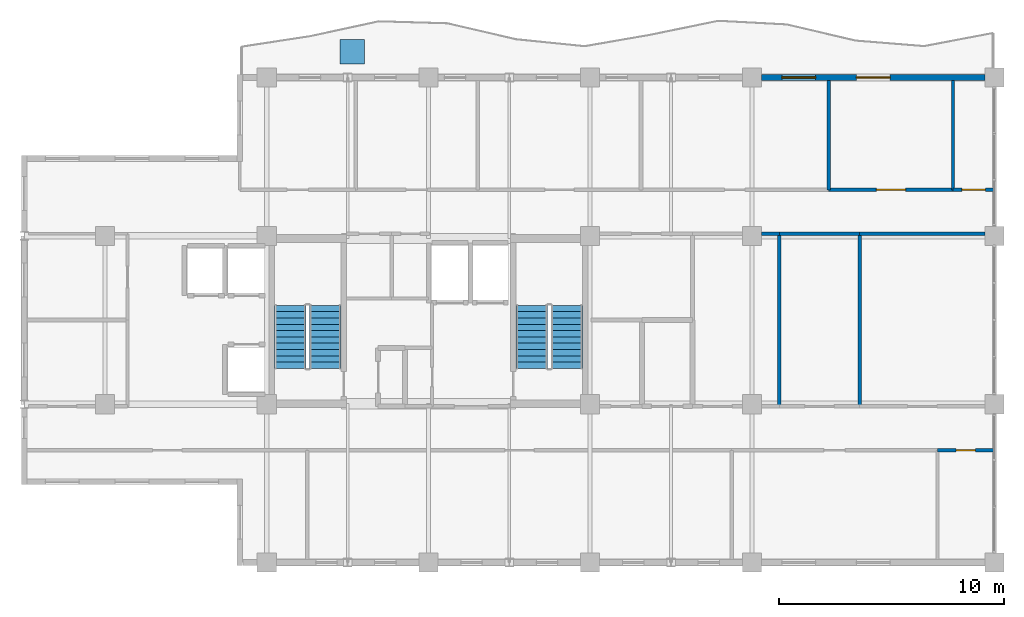
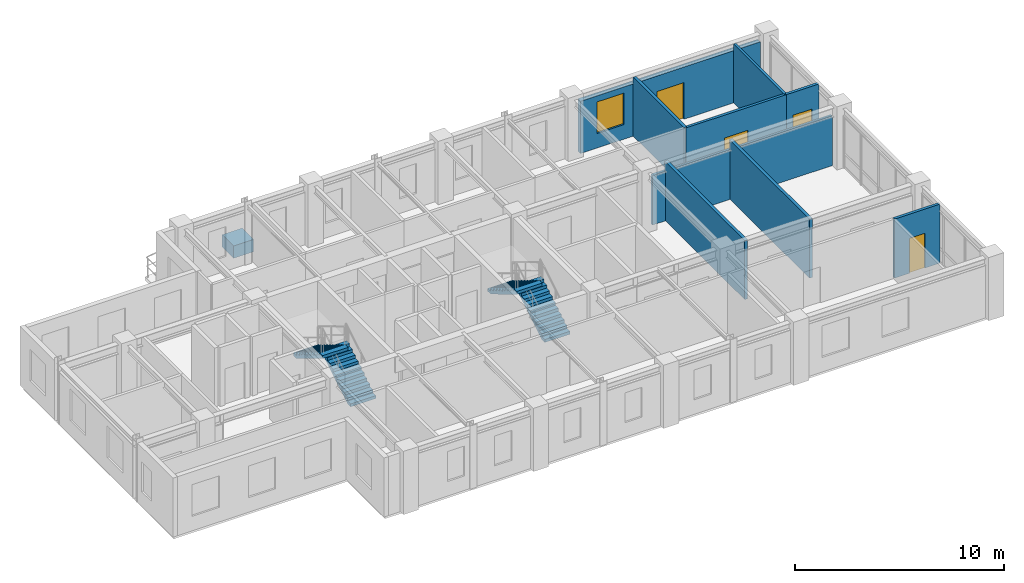
# One storey, part 9 of 10: 11 walls, 4 doors, 4 stair flights, 1 discrete accessory, 1 window, 5 openings, 2 elements without a shape of their own.
"""IFC4 building model written with IfcOpenShell, lengths in metres."""

from ifc_helpers import new_model, si_unit, direction, frame, frame_2d, origin, origin_2d, place, context, subcontext, project, spatial, polyline, rectangle, outline, extrude, source, transform, mapped, material, layer, layer_set, type_object, element, fill, aggregate, save


model = new_model("IFC4")

# Units and contexts
model_context = context("Model", 3, precision=1e-05, world=origin(), true_north=direction((0.0, 1.0)))
body_context = subcontext(model_context, "Body", "Model", "MODEL_VIEW")
ifc_project = project(units=[si_unit("LENGTHUNIT", "METRE"), si_unit("AREAUNIT", "SQUARE_METRE"), si_unit("VOLUMEUNIT", "CUBIC_METRE"), si_unit("PLANEANGLEUNIT", "RADIAN"), si_unit("MASSUNIT", "GRAM", prefix="KILO")], contexts=[model_context])

# Site, building, storey
site_placement = place(None, origin())
site = spatial("IfcSite", under=ifc_project, at=site_placement, CompositionType="ELEMENT")
building_placement = place(site_placement, origin())
building = spatial("IfcBuilding", under=site, at=building_placement, Name="Kaliganga Portal Commons", CompositionType="ELEMENT")
storey_placement = place(building_placement, frame((0.0, 0.0, 275.800048828125)))
storey = spatial("IfcBuildingStorey", under=building, at=storey_placement, Name="L71", CompositionType="ELEMENT", Elevation=275.800048828125)

# Wall, openings, door, window
ifc_material_1 = material(Name="Insulated Aluminium-Clad Spandrel Assembly", Category="aluminium")
ifc_layer_1 = layer(ifc_material_1, 0.260009765625)
ifc_layer_set_1 = layer_set([ifc_layer_1], Name="Insulated Aluminium-Clad Spandrel Assembly")
wall_type_1 = type_object("IfcWallType", Name="WL-EXT-SPAND-260", PredefinedType="STANDARD", material=ifc_layer_set_1)
wall_1_placement = place(storey_placement, frame((36.426025390625, 43.199951171875, 0.0), z_axis=(0.0, 0.0, 1.0), x_axis=(1.0, 0.0, 0.0)))
wall_1 = element("IfcWall", 1, at=wall_1_placement, inside=storey, type_object=wall_type_1, Name="Exterior Envelope Wall L71 P1-E02-S1", PredefinedType="STANDARD", context=body_context, shape_type="SweptSolid", body=[
    extrude(rectangle(XDim=9.947998046875, YDim=0.260009765625, at=frame_2d((4.97412109375, 0.0))), origin(), (0.0, 0.0, 1.0), 3.054931640625),
])
opening_1_placement = place(wall_1_placement, frame((4.22412109375, 0.0, 0.0)))
opening_1 = element("IfcOpeningElement", 2, at=opening_1_placement, cuts=wall_1, Name="Opening BD-01", PredefinedType="OPENING", context=body_context, shape_type="SweptSolid", body=[
    extrude(rectangle(XDim=1.5, YDim=2.14990234375, at=frame_2d((0.75, 1.074951171875))), frame((0.0, 0.14013671875, 0.0), z_axis=(0.0, -1.0, 0.0), x_axis=(1.0, 0.0, 0.0)), (0.0, 0.0, 1.0), 0.280029296875),
])
opening_2_placement = place(wall_1_placement, frame((0.907958984375, 0.0, 0.85009765625)))
opening_2 = element("IfcOpeningElement", 3, at=opening_2_placement, cuts=wall_1, Name="Opening W-02", PredefinedType="OPENING", context=body_context, shape_type="SweptSolid", body=[
    extrude(rectangle(XDim=1.5, YDim=1.85009765625, at=frame_2d((0.75, 0.925048828125))), frame((0.0, 0.14013671875, 0.0), z_axis=(0.0, -1.0, 0.0), x_axis=(1.0, 0.0, 0.0)), (0.0, 0.0, 1.0), 0.280029296875),
])
ifc_material_2 = material(Name="Anodized Aluminium and Laminated Safety Glass", Category="aluminium")
door_type_1 = type_object("IfcDoorType", Name="DR-BALC-1500", OperationType="SLIDING_TO_LEFT", PredefinedType="DOOR", material=ifc_material_2)
door_1_placement = place(opening_1_placement, origin())
door_1 = element("IfcDoor", 4, at=door_1_placement, inside=storey, type_object=door_type_1, Name="Balcony Sliding Door L71 balc_north", OperationType="SLIDING_TO_LEFT", OverallHeight=2.14990234375, OverallWidth=1.5, PredefinedType="DOOR", context=body_context, shape_type="SweptSolid", body=[
    extrude(rectangle(XDim=1.5, YDim=2.14990234375, at=frame_2d((0.75, 1.074951171875))), frame((0.0, 0.02490234375, 0.0), z_axis=(0.0, -1.0, 0.0), x_axis=(1.0, 0.0, 0.0)), (0.0, 0.0, 1.0), 0.050048828125),
])
fill(opening_1, door_1)
ifc_material_3 = material(Name="Thermally Broken Aluminium and Low-E Double Glazing", Category="aluminium")
window_type = type_object("IfcWindowType", Name="WIN-STD-1500", PartitioningType="DOUBLE_PANEL_VERTICAL", PredefinedType="WINDOW", material=ifc_material_3)
window_placement = place(opening_2_placement, origin())
window = element("IfcWindow", 5, at=window_placement, inside=storey, type_object=window_type, Name="Facade Window L71-P1E02S1-00", OverallHeight=1.85009765625, OverallWidth=1.5, PartitioningType="SINGLE_PANEL", PredefinedType="WINDOW", context=body_context, shape_type="SweptSolid", body=[
    extrude(rectangle(XDim=1.5, YDim=1.85009765625, at=frame_2d((0.75, 0.925048828125))), frame((0.0, 0.030029296875, 0.0), z_axis=(0.0, -1.0, 0.0), x_axis=(1.0, 0.0, 0.0)), (0.0, 0.0, 1.0), 0.06005859375),
])
fill(opening_2, window)

# Wall
ifc_material_4 = material(Name="Fire-Rated Gypsum Board on Steel Stud", Category="steel")
ifc_layer_2 = layer(ifc_material_4, 0.14990234375)
ifc_layer_set_2 = layer_set([ifc_layer_2], Name="Fire-Rated Gypsum Board on Steel Stud")
wall_type_2 = type_object("IfcWallType", Name="WL-PART-CORR-150", PredefinedType="PARTITIONING", material=ifc_layer_set_2)
wall_2_placement = place(storey_placement, frame((40.800048828125, 36.239990234375, 0.0), z_axis=(0.0, 0.0, 1.0), x_axis=(1.0, 0.0, 0.0)))
element("IfcWall", 6, at=wall_2_placement, inside=storey, type_object=wall_type_2, Name="Interior Partition L71-007", PredefinedType="PARTITIONING", context=body_context, shape_type="SweptSolid", body=[
    extrude(rectangle(XDim=5.574951171875, YDim=0.14990234375, at=frame_2d((2.78759765625, 0.0))), origin(), (0.0, 0.0, 1.0), 2.905029296875),
])

# Wall, opening, door
wall_3_placement = place(storey_placement, frame((39.419921875, 38.199951171875, 0.0), z_axis=(0.0, 0.0, 1.0), x_axis=(1.0, 0.0, 0.0)))
wall_3 = element("IfcWall", 7, at=wall_3_placement, inside=storey, type_object=wall_type_2, Name="Interior Partition L71-008", PredefinedType="PARTITIONING", context=body_context, shape_type="SweptSolid", body=[
    extrude(rectangle(XDim=5.5400390625, YDim=0.14990234375, at=frame_2d((2.77001953125, 0.0))), origin(), (0.0, 0.0, 1.0), 3.454833984375),
])
opening_3_placement = place(wall_3_placement, frame((2.1201171875, 0.0, 0.0)))
opening_3 = element("IfcOpeningElement", 8, at=opening_3_placement, cuts=wall_3, Name="Opening RD-03", PredefinedType="OPENING", context=body_context, shape_type="SweptSolid", body=[
    extrude(rectangle(XDim=1.300048828125, YDim=2.1201171875, at=frame_2d((0.64990234375, 1.06005859375))), frame((0.0, 0.0849609375, 0.0), z_axis=(0.0, -1.0, 0.0), x_axis=(1.0, 0.0, 0.0)), (0.0, 0.0, 1.0), 0.169921875),
])
ifc_material_5 = material(Name="Glazed Timber Seminar Vision Door", Category="wood")
door_type_2 = type_object("IfcDoorType", Name="DR-STUDY-1300", OperationType="DOUBLE_DOOR_SINGLE_SWING", PredefinedType="DOOR", material=ifc_material_5)
door_2_placement = place(opening_3_placement, origin())
door_2 = element("IfcDoor", 9, at=door_2_placement, inside=storey, type_object=door_type_2, Name="Interior Door L71-AN05", OperationType="DOUBLE_DOOR_SINGLE_SWING", OverallHeight=2.1201171875, OverallWidth=1.300048828125, PredefinedType="DOOR", context=body_context, shape_type="SweptSolid", body=[
    extrude(rectangle(XDim=1.300048828125, YDim=2.1201171875, at=frame_2d((0.64990234375, 1.06005859375))), frame((0.0, 0.02490234375, 0.0), z_axis=(0.0, -1.0, 0.0), x_axis=(1.0, 0.0, 0.0)), (0.0, 0.0, 1.0), 0.050048828125),
])
fill(opening_3, door_2)

# Walls
wall_4_placement = place(storey_placement, frame((36.425048828125, 36.239990234375, 0.0), z_axis=(0.0, 0.0, 1.0), x_axis=(1.0, 0.0, 0.0)))
element("IfcWall", 10, at=wall_4_placement, inside=storey, type_object=wall_type_2, Name="Interior Partition L71-017", PredefinedType="PARTITIONING", context=body_context, shape_type="SweptSolid", body=[
    extrude(rectangle(XDim=0.794921875, YDim=0.14990234375, at=frame_2d((0.3974609375, 0.0))), origin(), (0.0, 0.0, 1.0), 2.905029296875),
])
wall_5_placement = place(storey_placement, frame((37.219970703125, 36.239990234375, 0.0), z_axis=(0.0, 0.0, 1.0), x_axis=(1.0, 0.0, 0.0)))
element("IfcWall", 11, at=wall_5_placement, inside=storey, type_object=wall_type_2, Name="Interior Partition L71-021", PredefinedType="PARTITIONING", context=body_context, shape_type="SweptSolid", body=[
    extrude(rectangle(XDim=3.580078125, YDim=0.14990234375, at=frame_2d((1.7900390625, 0.0))), origin(), (0.0, 0.0, 1.0), 2.905029296875),
])

# Wall, opening, door
wall_6_placement = place(storey_placement, frame((44.260009765625, 26.60009765625, 0.0), z_axis=(0.0, 0.0, 1.0), x_axis=(1.0, 0.0, 0.0)))
wall_6 = element("IfcWall", 12, at=wall_6_placement, inside=storey, type_object=wall_type_2, Name="Interior Partition L71-024", PredefinedType="PARTITIONING", context=body_context, shape_type="SweptSolid", body=[
    extrude(rectangle(XDim=2.52001953125, YDim=0.14990234375, at=frame_2d((1.260009765625, 0.0))), origin(), (0.0, 0.0, 1.0), 3.454833984375),
])
opening_4_placement = place(wall_6_placement, frame((0.8349609375, 0.0, 0.0)))
opening_4 = element("IfcOpeningElement", 13, at=opening_4_placement, cuts=wall_6, Name="Opening WD-01", PredefinedType="OPENING", context=body_context, shape_type="SweptSolid", body=[
    extrude(rectangle(XDim=0.85009765625, YDim=2.0400390625, at=frame_2d((0.425048828125, 1.02001953125))), frame((0.0, 0.0849609375, 0.0), z_axis=(0.0, -1.0, 0.0), x_axis=(1.0, 0.0, 0.0)), (0.0, 0.0, 1.0), 0.169921875),
])
ifc_material_6 = material(Name="Moisture-Resistant Laminate Timber Door", Category="wood")
door_type_3 = type_object("IfcDoorType", Name="DR-WET-850", OperationType="NOTDEFINED", PredefinedType="DOOR", material=ifc_material_6)
door_3_placement = place(opening_4_placement, origin())
door_3 = element("IfcDoor", 14, at=door_3_placement, inside=storey, type_object=door_type_3, Name="Interior Door L71-AS04", OperationType="SINGLE_SWING_RIGHT", OverallHeight=2.0400390625, OverallWidth=0.85009765625, PredefinedType="DOOR", context=body_context, shape_type="SweptSolid", body=[
    extrude(rectangle(XDim=0.85009765625, YDim=2.0400390625, at=frame_2d((0.425048828125, 1.02001953125))), frame((0.0, 0.02490234375, 0.0), z_axis=(0.0, -1.0, 0.0), x_axis=(1.0, 0.0, 0.0)), (0.0, 0.0, 1.0), 0.050048828125),
])
fill(opening_4, door_3)

wall_7_placement = place(storey_placement, frame((44.9599609375, 38.199951171875, 0.0), z_axis=(0.0, 0.0, 1.0), x_axis=(1.0, 0.0, 0.0)))
wall_7 = element("IfcWall", 15, at=wall_7_placement, inside=storey, type_object=wall_type_2, Name="Interior Partition L71-029", PredefinedType="PARTITIONING", context=body_context, shape_type="SweptSolid", body=[
    extrude(rectangle(XDim=1.820068359375, YDim=0.14990234375, at=frame_2d((0.91015625, 0.0))), origin(), (0.0, 0.0, 1.0), 3.454833984375),
])
opening_5_placement = place(wall_7_placement, frame((0.385009765625, 0.0, 0.0)))
opening_5 = element("IfcOpeningElement", 16, at=opening_5_placement, cuts=wall_7, Name="Opening UD-02", PredefinedType="OPENING", context=body_context, shape_type="SweptSolid", body=[
    extrude(rectangle(XDim=1.050048828125, YDim=2.1201171875, at=frame_2d((0.52490234375, 1.06005859375))), frame((0.0, 0.0849609375, 0.0), z_axis=(0.0, -1.0, 0.0), x_axis=(1.0, 0.0, 0.0)), (0.0, 0.0, 1.0), 0.169921875),
])
ifc_material_7 = material(Name="Accessible Wide-Leaf Acoustic Fire Door", Category="wood")
door_type_4 = type_object("IfcDoorType", Name="DR-ACC-1050", OperationType="NOTDEFINED", PredefinedType="DOOR", material=ifc_material_7)
door_4_placement = place(opening_5_placement, origin())
door_4 = element("IfcDoor", 17, at=door_4_placement, inside=storey, type_object=door_type_4, Name="Interior Door L71-AN06", OperationType="SINGLE_SWING_RIGHT", OverallHeight=2.1201171875, OverallWidth=1.050048828125, PredefinedType="DOOR", context=body_context, shape_type="SweptSolid", body=[
    extrude(rectangle(XDim=1.050048828125, YDim=2.1201171875, at=frame_2d((0.52490234375, 1.06005859375))), frame((0.0, 0.02490234375, 0.0), z_axis=(0.0, -1.0, 0.0), x_axis=(1.0, 0.0, 0.0)), (0.0, 0.0, 1.0), 0.050048828125),
])
fill(opening_5, door_4)

# Walls
ifc_material_8 = material(Name="Twin-Stud Acoustic Gypsum Partition", Category="gypsum")
ifc_layer_3 = layer(ifc_material_8, 0.1650390625)
ifc_layer_set_3 = layer_set([ifc_layer_3], Name="Twin-Stud Acoustic Gypsum Partition")
wall_type_3 = type_object("IfcWallType", Name="WL-PART-UNIT-165", PredefinedType="PARTITIONING", material=ifc_layer_set_3)
for number, where, z_axis, x_axis, name in (
    (18, (37.219970703125, 28.56005859375, 0.0), (0.0, 0.0, 1.0), (0.0, 1.0, 0.0), "Interior Partition L71-036"),
    (19, (40.800048828125, 28.56005859375, 0.0), (0.0, 0.0, 1.0), (0.0, 1.0, 0.0), "Interior Partition L71-037"),
):
    element("IfcWall", number, at=place(storey_placement, frame(where, z_axis=z_axis, x_axis=x_axis)), inside=storey, type_object=wall_type_3, Name=name, PredefinedType="PARTITIONING", context=body_context, shape_type="SweptSolid", body=[
        extrude(rectangle(XDim=7.679931640625, YDim=0.1650390625, at=frame_2d((3.83984375, 0.0))), origin(), (0.0, 0.0, 1.0), 3.454833984375),
    ])
wall_8_placement = place(storey_placement, frame((39.419921875, 38.199951171875, 0.0), z_axis=(0.0, 0.0, 1.0), x_axis=(0.0, 1.0, 0.0)))
element("IfcWall", 20, at=wall_8_placement, inside=storey, type_object=wall_type_3, Name="Interior Partition L71-044", PredefinedType="PARTITIONING", context=body_context, shape_type="SweptSolid", body=[
    extrude(rectangle(XDim=4.8681640625, YDim=0.1650390625, at=frame_2d((2.43408203125, 0.0))), origin(), (0.0, 0.0, 1.0), 3.454833984375),
])
ifc_material_9 = material(Name="Cement-Board Wet-Room Partition", Category="gypsum")
ifc_layer_4 = layer(ifc_material_9, 0.135009765625)
ifc_layer_set_4 = layer_set([ifc_layer_4], Name="Cement-Board Wet-Room Partition")
wall_type_4 = type_object("IfcWallType", Name="WL-PART-WET-135", PredefinedType="PARTITIONING", material=ifc_layer_set_4)
wall_9_placement = place(storey_placement, frame((44.9599609375, 38.199951171875, 0.0), z_axis=(0.0, 0.0, 1.0), x_axis=(0.0, 1.0, 0.0)))
element("IfcWall", 21, at=wall_9_placement, inside=storey, type_object=wall_type_4, Name="Interior Partition L71-046", PredefinedType="PARTITIONING", context=body_context, shape_type="SweptSolid", body=[
    extrude(rectangle(XDim=4.8681640625, YDim=0.135009765625, at=frame_2d((2.43408203125, 0.0))), origin(), (0.0, 0.0, 1.0), 3.454833984375),
])

# Stair, stair flights
ifc_material_10 = material(Name="Concrete C40/50", Category="concrete")
stair_type = type_object("IfcStairType", Name="ST-CORE-DOGLEG", PredefinedType="HALF_TURN_STAIR", material=ifc_material_10)
stair_1_placement = place(storey_placement, origin())
stair_1 = element("IfcStair", 22, at=stair_1_placement, inside=storey, type_object=stair_type, Name="L71 Protected Exit Stair ST-A1", PredefinedType="HALF_TURN_STAIR")
stair_flight_type = type_object("IfcStairFlightType", Name="STF-RC-1400", PredefinedType="STRAIGHT", material=ifc_material_10)
stair_flight_1_placement = place(storey_placement, frame((17.0, 30.25, 0.0), z_axis=(0.0, 0.0, 1.0), x_axis=(0.0, 1.0, 0.0)))
stair_flight_1 = element("IfcStairFlight", 23, at=stair_flight_1_placement, type_object=stair_flight_type, Name="ST-A1 flight 1", NumberOfRisers=11, NumberOfTreads=10, PredefinedType="STRAIGHT", RiserHeight=0.168181818, TreadLength=0.28, context=body_context, shape_type="SweptSolid", body=[
    extrude(outline(polyline([(0.0, 0.0), (0.0, 0.168212890625), (0.280029296875, 0.168212890625), (0.280029296875, 0.33642578125), (0.56005859375, 0.33642578125), (0.56005859375, 0.504638671875), (0.840087890625, 0.504638671875), (0.840087890625, 0.672607421875), (1.1201171875, 0.672607421875), (1.1201171875, 0.8408203125), (1.39990234375, 0.8408203125), (1.39990234375, 1.009033203125), (1.679931640625, 1.009033203125), (1.679931640625, 1.17724609375), (1.9599609375, 1.17724609375), (1.9599609375, 1.345458984375), (2.239990234375, 1.345458984375), (2.239990234375, 1.513671875), (2.52001953125, 1.513671875), (2.52001953125, 1.681884765625), (2.800048828125, 1.681884765625), (2.800048828125, 1.85009765625), (2.800048828125, 1.5068359375), (0.291015625, 0.0), (0.0, 0.0)])), frame((0.0, 0.699951171875, 0.0), z_axis=(0.0, -1.0, 0.0), x_axis=(1.0, 0.0, 0.0)), (0.0, 0.0, 1.0), 1.39990234375),
])
stair_flight_2_placement = place(storey_placement, frame((15.449951171875, 33.050048828125, 1.849853515625), z_axis=(0.0, 0.0, 1.0), x_axis=(0.0, -1.0, 0.0)))
stair_flight_2 = element("IfcStairFlight", 24, at=stair_flight_2_placement, type_object=stair_flight_type, Name="ST-A1 flight 2", NumberOfRisers=11, NumberOfTreads=10, PredefinedType="STRAIGHT", RiserHeight=0.168181818, TreadLength=0.28, context=body_context, shape_type="SweptSolid", body=[
    extrude(outline(polyline([(0.0, 0.0), (0.0, 0.168212890625), (0.280029296875, 0.168212890625), (0.280029296875, 0.33642578125), (0.56005859375, 0.33642578125), (0.56005859375, 0.504638671875), (0.840087890625, 0.504638671875), (0.840087890625, 0.672607421875), (1.1201171875, 0.672607421875), (1.1201171875, 0.8408203125), (1.39990234375, 0.8408203125), (1.39990234375, 1.009033203125), (1.679931640625, 1.009033203125), (1.679931640625, 1.17724609375), (1.9599609375, 1.17724609375), (1.9599609375, 1.345458984375), (2.239990234375, 1.345458984375), (2.239990234375, 1.513671875), (2.52001953125, 1.513671875), (2.52001953125, 1.681884765625), (2.800048828125, 1.681884765625), (2.800048828125, 1.85009765625), (2.800048828125, 1.5068359375), (0.291015625, 0.0), (0.0, 0.0)])), frame((0.0, 0.699951171875, 0.0), z_axis=(0.0, -1.0, 0.0), x_axis=(1.0, 0.0, 0.0)), (0.0, 0.0, 1.0), 1.39990234375),
])
aggregate(stair_1, [stair_flight_1, stair_flight_2])

stair_2_placement = place(storey_placement, origin())
stair_2 = element("IfcStair", 25, at=stair_2_placement, inside=storey, type_object=stair_type, Name="L71 Protected Exit Stair ST-A2", PredefinedType="HALF_TURN_STAIR")
stair_flight_3_placement = place(storey_placement, frame((27.75, 30.25, 0.0), z_axis=(0.0, 0.0, 1.0), x_axis=(0.0, 1.0, 0.0)))
stair_flight_3 = element("IfcStairFlight", 26, at=stair_flight_3_placement, type_object=stair_flight_type, Name="ST-A2 flight 1", NumberOfRisers=11, NumberOfTreads=10, PredefinedType="STRAIGHT", RiserHeight=0.168181818, TreadLength=0.28, context=body_context, shape_type="SweptSolid", body=[
    extrude(outline(polyline([(0.0, 0.0), (0.0, 0.168212890625), (0.280029296875, 0.168212890625), (0.280029296875, 0.33642578125), (0.56005859375, 0.33642578125), (0.56005859375, 0.504638671875), (0.840087890625, 0.504638671875), (0.840087890625, 0.672607421875), (1.1201171875, 0.672607421875), (1.1201171875, 0.8408203125), (1.39990234375, 0.8408203125), (1.39990234375, 1.009033203125), (1.679931640625, 1.009033203125), (1.679931640625, 1.17724609375), (1.9599609375, 1.17724609375), (1.9599609375, 1.345458984375), (2.239990234375, 1.345458984375), (2.239990234375, 1.513671875), (2.52001953125, 1.513671875), (2.52001953125, 1.681884765625), (2.800048828125, 1.681884765625), (2.800048828125, 1.85009765625), (2.800048828125, 1.5068359375), (0.291015625, 0.0), (0.0, 0.0)])), frame((0.0, 0.699951171875, 0.0), z_axis=(0.0, -1.0, 0.0), x_axis=(1.0, 0.0, 0.0)), (0.0, 0.0, 1.0), 1.39990234375),
])
stair_flight_4_placement = place(storey_placement, frame((26.199951171875, 33.050048828125, 1.849853515625), z_axis=(0.0, 0.0, 1.0), x_axis=(0.0, -1.0, 0.0)))
stair_flight_4 = element("IfcStairFlight", 27, at=stair_flight_4_placement, type_object=stair_flight_type, Name="ST-A2 flight 2", NumberOfRisers=11, NumberOfTreads=10, PredefinedType="STRAIGHT", RiserHeight=0.168181818, TreadLength=0.28, context=body_context, shape_type="SweptSolid", body=[
    extrude(outline(polyline([(0.0, 0.0), (0.0, 0.168212890625), (0.280029296875, 0.168212890625), (0.280029296875, 0.33642578125), (0.56005859375, 0.33642578125), (0.56005859375, 0.504638671875), (0.840087890625, 0.504638671875), (0.840087890625, 0.672607421875), (1.1201171875, 0.672607421875), (1.1201171875, 0.8408203125), (1.39990234375, 0.8408203125), (1.39990234375, 1.009033203125), (1.679931640625, 1.009033203125), (1.679931640625, 1.17724609375), (1.9599609375, 1.17724609375), (1.9599609375, 1.345458984375), (2.239990234375, 1.345458984375), (2.239990234375, 1.513671875), (2.52001953125, 1.513671875), (2.52001953125, 1.681884765625), (2.800048828125, 1.681884765625), (2.800048828125, 1.85009765625), (2.800048828125, 1.5068359375), (0.291015625, 0.0), (0.0, 0.0)])), frame((0.0, 0.699951171875, 0.0), z_axis=(0.0, -1.0, 0.0), x_axis=(1.0, 0.0, 0.0)), (0.0, 0.0, 1.0), 1.39990234375),
])
aggregate(stair_2, [stair_flight_3, stair_flight_4])

# Discrete accessory
ifc_material_11 = material(Name="Precast concrete C40/50", Category="concrete")
discrete_accessory_type = type_object("IfcDiscreteAccessoryType", Name="DAC-PLANTER-RC", PredefinedType="USERDEFINED", material=ifc_material_11)
shared_shape = source(origin(), body_context, "Body", "SweptSolid", [
    extrude(rectangle(XDim=1.10009765625, YDim=1.10009765625, at=origin_2d()), origin(), (0.0, 0.0, 1.0), 0.719970703125),
])
discrete_accessory_placement = place(storey_placement, frame((18.199951171875, 44.35009765625, 0.0), z_axis=(0.0, 0.0, 1.0), x_axis=(1.0, 0.0, 0.0)))
element("IfcDiscreteAccessory", 28, at=discrete_accessory_placement, inside=storey, type_object=discrete_accessory_type, Name="Structural Tree Planter L71 balc_north", ObjectType="PLANTER", PredefinedType="USERDEFINED", context=body_context, shape_type="MappedRepresentation", body=[
    mapped(shared_shape, transform((0.0, 0.0, 0.0), x_axis=(1.0, 0.0, 0.0), y_axis=(0.0, 1.0, 0.0), z_axis=(0.0, 0.0, 1.0), scale=1.0)),
])

save(model, "model.ifc")
